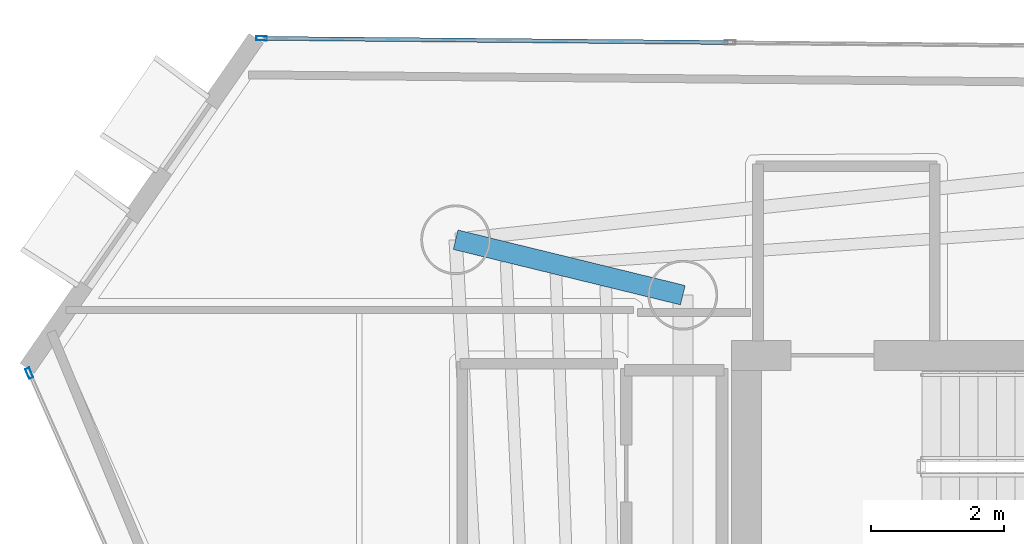
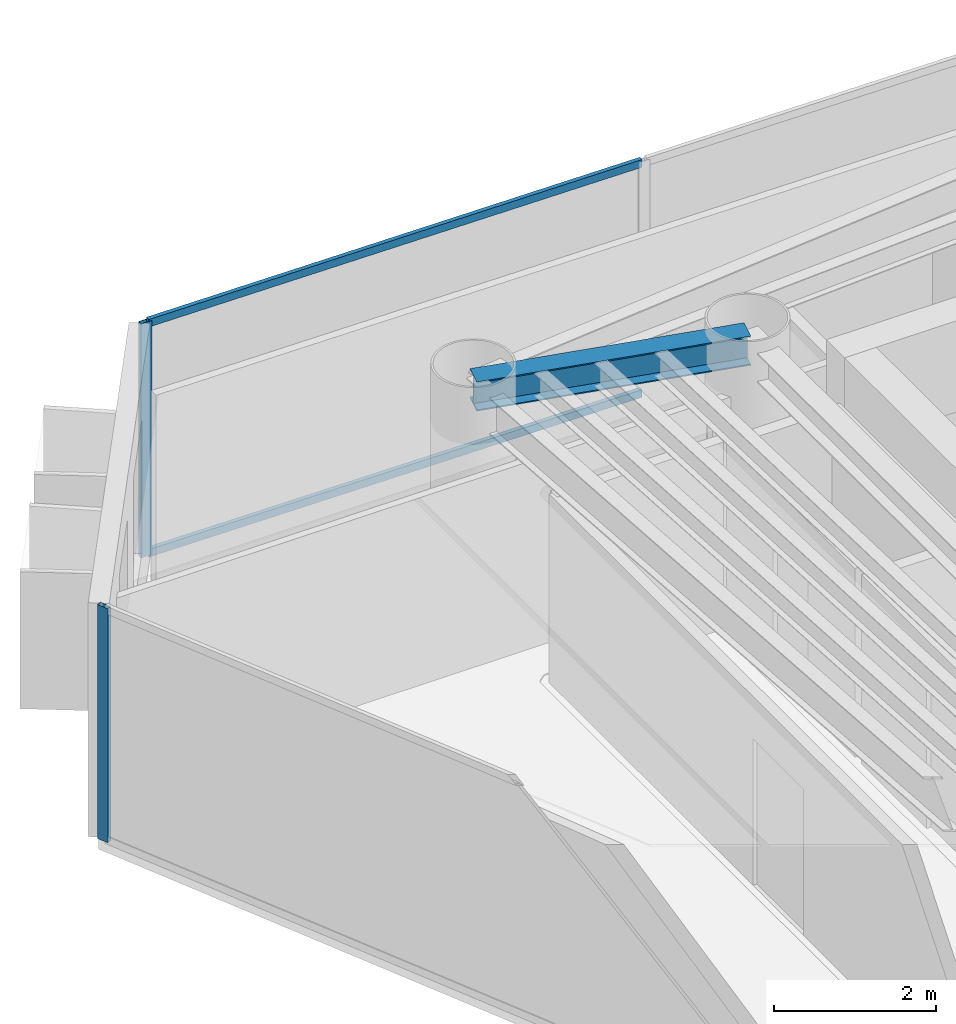
# One storey, part 9 of 21: 4 members, 1 beam, 2 elements without a shape of their own.
"""IFC4 building model written with IfcOpenShell, lengths in metres."""

from ifc_helpers import new_model, si_unit, direction, frame, origin, origin_2d, place, context, subcontext, project, spatial, hollow_rectangle, i_section, extrude, material, layer, layer_set, material_profile, profile_set, type_object, element, aggregate, save


model = new_model("IFC4")

# Units and contexts
model_context = context("Model", 3, precision=1e-05, world=origin(), true_north=direction((0.0, 1.0)))
body_context = subcontext(model_context, "Body", "Model", "MODEL_VIEW")
ifc_project = project(units=[si_unit("LENGTHUNIT", "METRE"), si_unit("AREAUNIT", "SQUARE_METRE"), si_unit("VOLUMEUNIT", "CUBIC_METRE"), si_unit("PLANEANGLEUNIT", "RADIAN"), si_unit("MASSUNIT", "GRAM", prefix="KILO")], contexts=[model_context])

# Site, building, storey
site_placement = place(None, origin())
site = spatial("IfcSite", under=ifc_project, at=site_placement, CompositionType="ELEMENT")
building_placement = place(site_placement, origin())
building = spatial("IfcBuilding", under=site, at=building_placement, Name="Qianvela Tower", CompositionType="ELEMENT")
storey_placement = place(building_placement, frame((0.0, 0.0, 250.10009765625)))
storey = spatial("IfcBuildingStorey", under=building, at=storey_placement, Name="L64", CompositionType="ELEMENT", Elevation=250.10009765625)

# Beam
ifc_material_1 = material(Name="Steel Q355B", Category="steel")
ifc_material_profile_1 = material_profile(ifc_material_1, i_section(OverallWidth=0.300048828125, OverallDepth=0.43994140625, WebThickness=0.010986328125, FlangeThickness=0.01806640625, at=origin_2d()), Name="HM440x300x11x18")
ifc_profile_set_1 = profile_set([ifc_material_profile_1], Name="Steel Q355B")
beam_type = type_object("IfcBeamType", Name="BM-HM440-COLL", PredefinedType="BEAM", material=ifc_profile_set_1)
beam_placement = place(storey_placement, frame((28.60009765625, 33.550048828125, 3.2978515625), z_axis=(-0.971502414323, 0.237029658405, 0.0), x_axis=(-0.237029658405, -0.971502414323, 0.0)))
element("IfcBeam", 1, at=beam_placement, inside=storey, type_object=beam_type, Name="L64 Radial Primary Floor Girder 3", PredefinedType="BEAM", context=body_context, shape_type="SweptSolid", body=[
    extrude(i_section(OverallWidth=0.300048828125, OverallDepth=0.43994140625, WebThickness=0.010986328125, FlangeThickness=0.01806640625, at=origin_2d()), origin(), (0.0, 0.0, 1.0), 3.5185546875),
])

# Curtain wall, member
ifc_material_2 = material(Name="Anodised Architectural Aluminium and Low-E Glass", Category="aluminium")
ifc_layer = layer(ifc_material_2, 0.159912109375)
ifc_layer_set = layer_set([ifc_layer], Name="Anodised Architectural Aluminium and Low-E Glass")
curtain_wall_type = type_object("IfcCurtainWallType", Name="CW-COLIV-Z56", PredefinedType="USERDEFINED", material=ifc_layer_set)
curtain_wall_1_placement = place(storey_placement, origin())
curtain_wall_1 = element("IfcCurtainWall", 2, at=curtain_wall_1_placement, inside=storey, type_object=curtain_wall_type, Name="L64 CW-COLIV-Z56 Curtain Wall 02C", ObjectType="CURTAIN_WALL_SYSTEM", PredefinedType="USERDEFINED")
ifc_material_3 = material(Name="Anodised Architectural Aluminium 6063-T6", Category="aluminium")
ifc_material_profile_2 = material_profile(ifc_material_3, hollow_rectangle(XDim=0.06494140625, YDim=0.159912109375, WallThickness=0.0048828125, at=origin_2d()), Name="ALU-MULL-65x160")
ifc_profile_set_2 = profile_set([ifc_material_profile_2], Name="Anodised Architectural Aluminium 6063-T6")
member_type_1 = type_object("IfcMemberType", Name="CW-COLIV-Z56-MULL", PredefinedType="MULLION", material=ifc_profile_set_2)
member_1_placement = place(storey_placement, frame((22.263916015625, 37.413818359375, 0.0), z_axis=(0.0, 0.0, 1.0), x_axis=(-0.008960365602, -0.999959855118, 0.0)))
member_1 = element("IfcMember", 3, at=member_1_placement, type_object=member_type_1, Name="CW-5 mullion 3", PredefinedType="MULLION", context=body_context, shape_type="SweptSolid", body=[
    extrude(hollow_rectangle(XDim=0.06494140625, YDim=0.159912109375, WallThickness=0.0048828125, at=origin_2d()), origin(), (0.0, 0.0, 1.0), 3.52001953125),
])

curtain_wall_2_placement = place(storey_placement, origin())
curtain_wall_2 = element("IfcCurtainWall", 4, at=curtain_wall_2_placement, inside=storey, type_object=curtain_wall_type, Name="L64 CW-COLIV-Z56 Curtain Wall 04A", ObjectType="CURTAIN_WALL_SYSTEM", PredefinedType="USERDEFINED")
member_2_placement = place(storey_placement, frame((18.768798828125, 32.3759765625, 0.0), z_axis=(0.0, 0.0, 1.0), x_axis=(0.914678281633, 0.404182682841, 0.0)))
member_2 = element("IfcMember", 5, at=member_2_placement, type_object=member_type_1, Name="CW-5 mullion 1", PredefinedType="MULLION", context=body_context, shape_type="SweptSolid", body=[
    extrude(hollow_rectangle(XDim=0.06494140625, YDim=0.159912109375, WallThickness=0.0048828125, at=origin_2d()), origin(), (0.0, 0.0, 1.0), 3.52001953125),
])
aggregate(curtain_wall_2, [member_2])

# Member
ifc_material_4 = material(Name="Anodised Architectural Aluminium 6063-T6", Category="aluminium")
ifc_material_profile_3 = material_profile(ifc_material_4, hollow_rectangle(XDim=0.06005859375, YDim=0.114990234375, WallThickness=0.00390625, at=origin_2d()), Name="ALU-TRAN-60x115")
ifc_profile_set_3 = profile_set([ifc_material_profile_3], Name="Anodised Architectural Aluminium 6063-T6")
member_type_2 = type_object("IfcMemberType", Name="CW-COLIV-Z56-TRAN", PredefinedType="USERDEFINED", material=ifc_profile_set_3)
member_3_placement = place(storey_placement, frame((29.27978515625, 37.35107421875, 0.02978515625), z_axis=(-0.999959952971, 0.008949438818, 0.0), x_axis=(-0.008949438818, -0.999959952971, 0.0)))
member_3 = element("IfcMember", 6, at=member_3_placement, type_object=member_type_2, Name="CW-5 transom 2.1", ObjectType="TRANSOM", PredefinedType="USERDEFINED", context=body_context, shape_type="SweptSolid", body=[
    extrude(hollow_rectangle(XDim=0.06005859375, YDim=0.114990234375, WallThickness=0.00390625, at=origin_2d()), origin(), (0.0, 0.0, 1.0), 6.983642578125),
])

member_4_placement = place(storey_placement, frame((29.27978515625, 37.35107421875, 3.489990234375), z_axis=(-0.999959952971, 0.008949438818, 0.0), x_axis=(-0.008949438818, -0.999959952971, 0.0)))
member_4 = element("IfcMember", 7, at=member_4_placement, type_object=member_type_2, Name="CW-5 transom 2.2", ObjectType="TRANSOM", PredefinedType="USERDEFINED", context=body_context, shape_type="SweptSolid", body=[
    extrude(hollow_rectangle(XDim=0.06005859375, YDim=0.114990234375, WallThickness=0.00390625, at=origin_2d()), origin(), (0.0, 0.0, 1.0), 6.983642578125),
])

aggregate(curtain_wall_1, [member_1, member_3, member_4])

save(model, "model.ifc")
